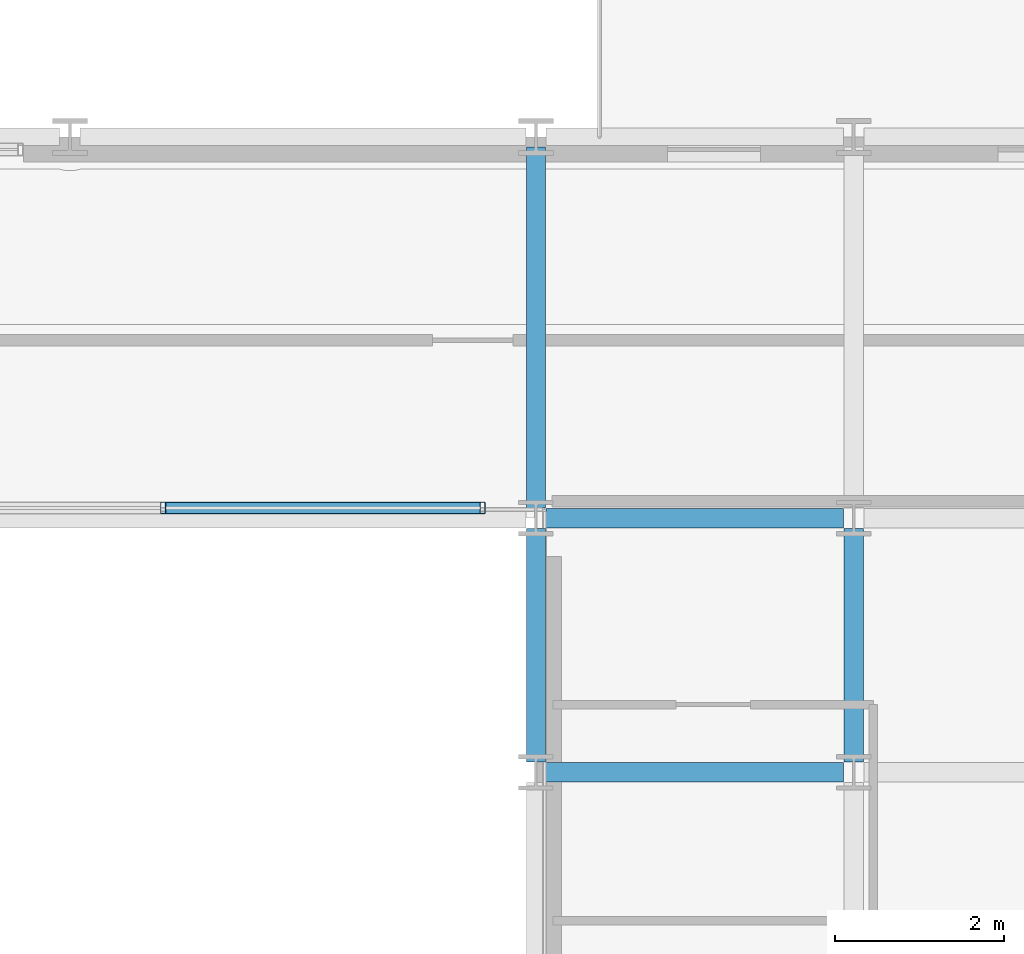
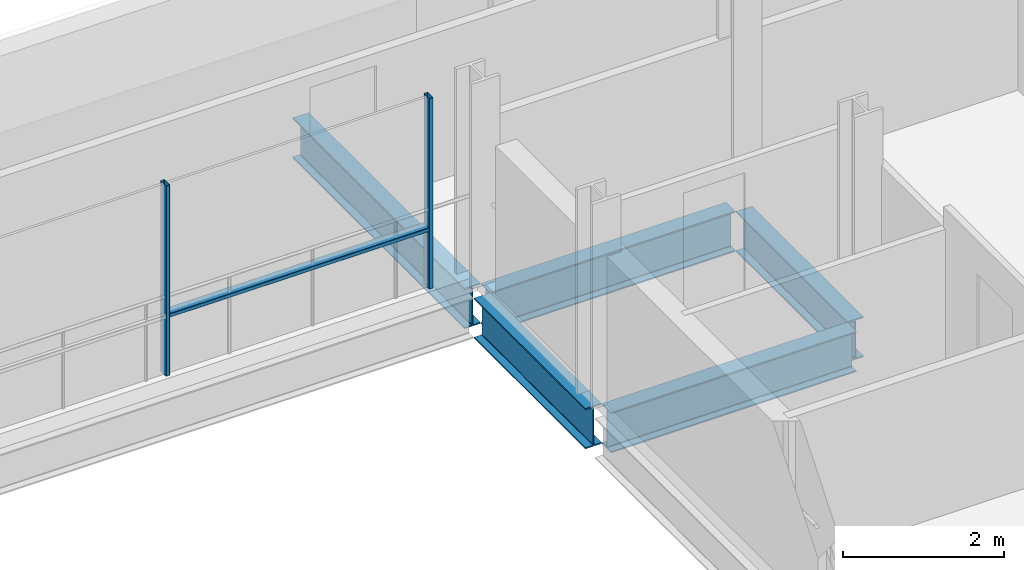
# One storey, part 17 of 41: 5 beams, 3 members, 1 element without a shape of its own.
"""IFC4 building model written with IfcOpenShell, lengths in metres."""

from ifc_helpers import new_model, si_unit, direction, frame, origin, origin_2d, place, context, subcontext, project, spatial, hollow_rectangle, i_section, extrude, material, layer, layer_set, material_profile, profile_set, type_object, element, aggregate, save


model = new_model("IFC4")

# Units and contexts
model_context = context("Model", 3, precision=1e-05, world=origin(), true_north=direction((0.0, 1.0)))
body_context = subcontext(model_context, "Body", "Model", "MODEL_VIEW")
ifc_project = project(units=[si_unit("LENGTHUNIT", "METRE"), si_unit("AREAUNIT", "SQUARE_METRE"), si_unit("VOLUMEUNIT", "CUBIC_METRE"), si_unit("PLANEANGLEUNIT", "RADIAN"), si_unit("MASSUNIT", "GRAM", prefix="KILO")], contexts=[model_context])

# Site, building, storey
site_placement = place(None, origin())
site = spatial("IfcSite", under=ifc_project, at=site_placement, CompositionType="ELEMENT")
building_placement = place(site_placement, origin())
building = spatial("IfcBuilding", under=site, at=building_placement, Name="Brevholm Reach", CompositionType="ELEMENT")
storey_placement = place(building_placement, frame((0.0, 0.0, 100.39990234375)))
storey = spatial("IfcBuildingStorey", under=building, at=storey_placement, Name="L29", CompositionType="ELEMENT", Elevation=100.39990234375)

# Beams
ifc_material_1 = material(Name="Structural Steel S355J2", Category="steel")
ifc_material_profile_1 = material_profile(ifc_material_1, i_section(OverallWidth=0.22900390625, OverallDepth=0.6123046875, WebThickness=0.011962890625, FlangeThickness=0.01953125, FilletRadius=0.0126953125, at=origin_2d()), Name="UKB 610x229x125")
ifc_profile_set_1 = profile_set([ifc_material_profile_1], Name="Structural Steel S355J2")
beam_type = type_object("IfcBeamType", Name="BM-SP610", PredefinedType="SPANDREL", material=ifc_profile_set_1)
for number, where, z_axis, x_axis, name in (
    (1, (38.3701171875, 23.5, -0.526123046875), (1.0, 0.0, 0.0), (0.0, 1.0, 0.0), "L29 SP-01 Framing Beam"),
    (2, (38.3701171875, 26.5, -0.526123046875), (1.0, 0.0, 0.0), (0.0, 1.0, 0.0), "L29 SP-01 Framing Beam"),
):
    element("IfcBeam", number, at=place(storey_placement, frame(where, z_axis=z_axis, x_axis=x_axis)), inside=storey, type_object=beam_type, Name=name, PredefinedType="SPANDREL", context=body_context, shape_type="SweptSolid", body=[
        extrude(i_section(OverallWidth=0.22900390625, OverallDepth=0.6123046875, WebThickness=0.011962890625, FlangeThickness=0.01953125, FilletRadius=0.0126953125, at=origin_2d()), origin(), (0.0, 0.0, 1.0), 3.509765625),
    ])
beam_1_placement = place(storey_placement, frame((38.25, 23.6201171875, -0.526123046875), z_axis=(0.0, 1.0, 0.0), x_axis=(-1.0, 0.0, 0.0)))
element("IfcBeam", 3, at=beam_1_placement, inside=storey, type_object=beam_type, Name="L29 SP-01 Framing Beam", PredefinedType="SPANDREL", context=body_context, shape_type="SweptSolid", body=[
    extrude(i_section(OverallWidth=0.22900390625, OverallDepth=0.6123046875, WebThickness=0.011962890625, FlangeThickness=0.01953125, FilletRadius=0.0126953125, at=origin_2d()), origin(), (0.0, 0.0, 1.0), 2.759765625),
])
beam_2_placement = place(storey_placement, frame((38.25, 26.6201171875, -0.526123046875), z_axis=(0.0, 1.0, 0.0), x_axis=(-1.0, 0.0, 0.0)))
element("IfcBeam", 4, at=beam_2_placement, inside=storey, type_object=beam_type, Name="L29 SP-01 Framing Beam", PredefinedType="SPANDREL", context=body_context, shape_type="SweptSolid", body=[
    extrude(i_section(OverallWidth=0.22900390625, OverallDepth=0.6123046875, WebThickness=0.011962890625, FlangeThickness=0.01953125, FilletRadius=0.0126953125, at=origin_2d()), origin(), (0.0, 0.0, 1.0), 4.259765625),
])
beam_3_placement = place(storey_placement, frame((42.0, 23.6201171875, -0.526123046875), z_axis=(0.0, 1.0, 0.0), x_axis=(-1.0, 0.0, 0.0)))
element("IfcBeam", 5, at=beam_3_placement, inside=storey, type_object=beam_type, Name="L29 SP-01 Framing Beam", PredefinedType="SPANDREL", context=body_context, shape_type="SweptSolid", body=[
    extrude(i_section(OverallWidth=0.22900390625, OverallDepth=0.6123046875, WebThickness=0.011962890625, FlangeThickness=0.01953125, FilletRadius=0.0126953125, at=origin_2d()), origin(), (0.0, 0.0, 1.0), 2.759765625),
])

# Curtain wall, members
ifc_material_2 = material(Name="Dark Anodised Aluminium 6063-T6 and Solar-Control Glass", Category="aluminium")
ifc_layer = layer(ifc_material_2, 0.139892578125)
ifc_layer_set = layer_set([ifc_layer], Name="Dark Anodised Aluminium 6063-T6 and Solar-Control Glass")
curtain_wall_type = type_object("IfcCurtainWallType", Name="CW-02", PredefinedType="NOTDEFINED", material=ifc_layer_set)
curtain_wall_placement = place(storey_placement, origin())
curtain_wall = element("IfcCurtainWall", 6, at=curtain_wall_placement, inside=storey, type_object=curtain_wall_type, Name="L29 Curtain Wall CW-02", PredefinedType="NOTDEFINED")
ifc_material_3 = material(Name="Dark Anodised Aluminium 6063-T6", Category="aluminium")
ifc_material_profile_2 = material_profile(ifc_material_3, hollow_rectangle(XDim=0.06005859375, YDim=0.139892578125, WallThickness=0.0048828125, InnerFilletRadius=0.0048828125, OuterFilletRadius=0.010009765625, at=origin_2d()), Name="RHS 140x60x5")
ifc_profile_set_2 = profile_set([ifc_material_profile_2], Name="Dark Anodised Aluminium 6063-T6")
member_type_1 = type_object("IfcMemberType", Name="CWM-140", PredefinedType="MULLION", material=ifc_profile_set_2)
member_1_placement = place(storey_placement, frame((37.6201171875, 26.6201171875, 0.0), z_axis=(0.0, 0.0, 1.0), x_axis=(-1.0, 0.0, 0.0)))
member_1 = element("IfcMember", 7, at=member_1_placement, type_object=member_type_1, Name="CM-140 Mullion 1", PredefinedType="MULLION", context=body_context, shape_type="SweptSolid", body=[
    extrude(hollow_rectangle(XDim=0.06005859375, YDim=0.139892578125, WallThickness=0.0048828125, InnerFilletRadius=0.0048828125, OuterFilletRadius=0.010009765625, at=origin_2d()), origin(), (0.0, 0.0, 1.0), 2.880126953125),
])
member_2_placement = place(storey_placement, frame((33.85009765625, 26.6201171875, 0.0), z_axis=(0.0, 0.0, 1.0), x_axis=(-1.0, 0.0, 0.0)))
member_2 = element("IfcMember", 8, at=member_2_placement, type_object=member_type_1, Name="CM-140 Mullion 2", PredefinedType="MULLION", context=body_context, shape_type="SweptSolid", body=[
    extrude(hollow_rectangle(XDim=0.06005859375, YDim=0.139892578125, WallThickness=0.0048828125, InnerFilletRadius=0.0048828125, OuterFilletRadius=0.010009765625, at=origin_2d()), origin(), (0.0, 0.0, 1.0), 2.880126953125),
])
ifc_material_4 = material(Name="Dark Anodised Aluminium 6063-T6", Category="aluminium")
ifc_material_profile_3 = material_profile(ifc_material_4, hollow_rectangle(XDim=0.06005859375, YDim=0.139892578125, WallThickness=0.0048828125, InnerFilletRadius=0.0048828125, OuterFilletRadius=0.010009765625, at=origin_2d()), Name="RHS 140x60x5")
ifc_profile_set_3 = profile_set([ifc_material_profile_3], Name="Dark Anodised Aluminium 6063-T6")
member_type_2 = type_object("IfcMemberType", Name="CWT-140", PredefinedType="NOTDEFINED", material=ifc_profile_set_3)
member_3_placement = place(storey_placement, frame((37.590087890625, 26.6201171875, 0.900146484375), z_axis=(-1.0, 0.0, 0.0), x_axis=(0.0, 0.0, 1.0)))
member_3 = element("IfcMember", 9, at=member_3_placement, type_object=member_type_2, Name="CT-140 Transom 1.1", ObjectType="TRANSOM", PredefinedType="USERDEFINED", context=body_context, shape_type="SweptSolid", body=[
    extrude(hollow_rectangle(XDim=0.06005859375, YDim=0.139892578125, WallThickness=0.0048828125, InnerFilletRadius=0.0048828125, OuterFilletRadius=0.010009765625, at=origin_2d()), origin(), (0.0, 0.0, 1.0), 3.710205078125),
])
aggregate(curtain_wall, [member_1, member_2, member_3])

save(model, "model.ifc")
